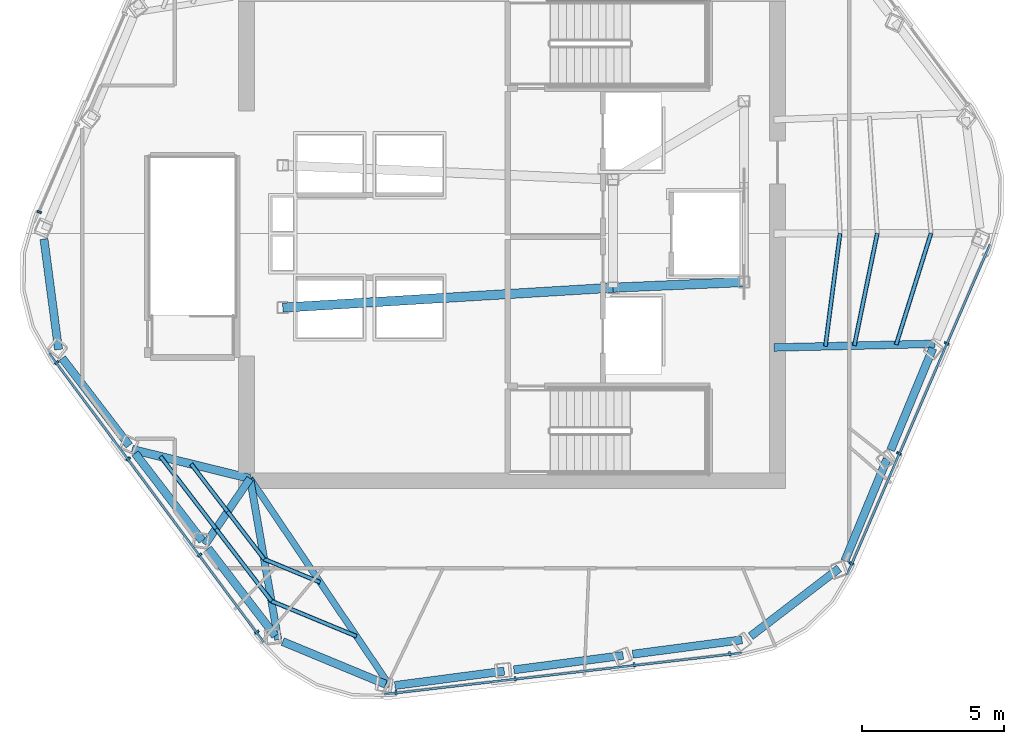
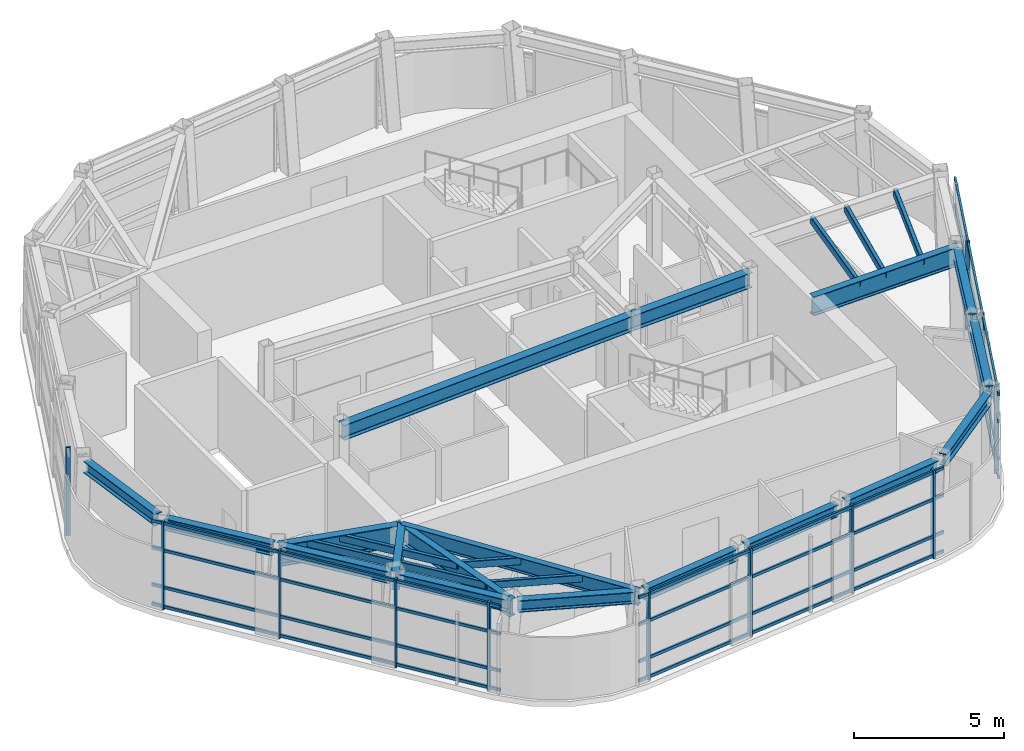
# One storey, part 2 of 11: 33 members, 18 beams, 4 elements without a shape of their own.
"""IFC4 building model written with IfcOpenShell, lengths in metres."""

from ifc_helpers import new_model, si_unit, direction, frame, origin, origin_2d, place, context, subcontext, project, spatial, rectangle, hollow_rectangle, i_section, extrude, material, layer, layer_set, material_profile, profile_set, type_object, element, aggregate, save


model = new_model("IFC4")

# Units and contexts
model_context = context("Model", 3, precision=1e-05, world=origin(), true_north=direction((0.0, 1.0)))
body_context = subcontext(model_context, "Body", "Model", "MODEL_VIEW")
ifc_project = project(units=[si_unit("LENGTHUNIT", "METRE"), si_unit("AREAUNIT", "SQUARE_METRE"), si_unit("VOLUMEUNIT", "CUBIC_METRE"), si_unit("PLANEANGLEUNIT", "RADIAN"), si_unit("MASSUNIT", "GRAM", prefix="KILO")], contexts=[model_context])

# Site, building, storey
site_placement = place(None, origin())
site = spatial("IfcSite", under=ifc_project, at=site_placement, CompositionType="ELEMENT")
building_placement = place(site_placement, origin())
building = spatial("IfcBuilding", under=site, at=building_placement, Name="Valkerne Bourse Tower", CompositionType="ELEMENT")
storey_placement = place(building_placement, frame((0.0, 0.0, 311.60009765625)))
storey = spatial("IfcBuildingStorey", under=building, at=storey_placement, Name="L79", CompositionType="ELEMENT", Elevation=311.60009765625)

# Beams
ifc_material_1 = material(Name="Steel ASTM A992", Category="steel")
ifc_material_profile_1 = material_profile(ifc_material_1, i_section(OverallWidth=0.284423828125, OverallDepth=0.47509765625, WebThickness=0.014892578125, FlangeThickness=0.02392578125, FilletRadius=0.017822265625, at=origin_2d()), Name="W18X106")
ifc_profile_set_1 = profile_set([ifc_material_profile_1], Name="Steel ASTM A992")
beam_type_1 = type_object("IfcBeamType", Name="BM-W18X106", PredefinedType="BEAM", material=ifc_profile_set_1)
beam_1_placement = place(storey_placement, frame((30.362548828125, 26.810791015625, 3.34228515625), z_axis=(0.130554504695, -0.991441133554, 0.0), x_axis=(0.991441133554, 0.130554504695, 0.0)))
element("IfcBeam", 1, at=beam_1_placement, inside=storey, type_object=beam_type_1, Name="L79 Hexagonal Spandrel Ring Beam 07", PredefinedType="BEAM", context=body_context, shape_type="SweptSolid", body=[
    extrude(i_section(OverallWidth=0.284423828125, OverallDepth=0.47509765625, WebThickness=0.014892578125, FlangeThickness=0.02392578125, FilletRadius=0.017822265625, at=origin_2d()), origin(), (0.0, 0.0, 1.0), 3.915771484375),
])
beam_2_placement = place(storey_placement, frame((30.99951171875, 22.625, 3.34228515625), z_axis=(0.60874126087, -0.793368815441, 0.0), x_axis=(0.793368815441, 0.60874126087, 0.0)))
element("IfcBeam", 2, at=beam_2_placement, inside=storey, type_object=beam_type_1, Name="L79 Hexagonal Spandrel Ring Beam 08", PredefinedType="BEAM", context=body_context, shape_type="SweptSolid", body=[
    extrude(i_section(OverallWidth=0.284423828125, OverallDepth=0.47509765625, WebThickness=0.014892578125, FlangeThickness=0.02392578125, FilletRadius=0.017822265625, at=origin_2d()), origin(), (0.0, 0.0, 1.0), 3.871826171875),
])
beam_3_placement = place(storey_placement, frame((33.5634765625, 19.283447265625, 3.34228515625), z_axis=(0.608780948091, -0.793338362391, 0.0), x_axis=(0.793338362391, 0.608780948091, 0.0)))
element("IfcBeam", 3, at=beam_3_placement, inside=storey, type_object=beam_type_1, Name="L79 Hexagonal Spandrel Ring Beam 09", PredefinedType="BEAM", context=body_context, shape_type="SweptSolid", body=[
    extrude(i_section(OverallWidth=0.284423828125, OverallDepth=0.47509765625, WebThickness=0.014892578125, FlangeThickness=0.02392578125, FilletRadius=0.017822265625, at=origin_2d()), origin(), (0.0, 0.0, 1.0), 3.8720703125),
])
beam_4_placement = place(storey_placement, frame((36.127685546875, 15.94189453125, 3.34228515625), z_axis=(0.60874126087, -0.793368815441, 0.0), x_axis=(0.793368815441, 0.60874126087, 0.0)))
element("IfcBeam", 4, at=beam_4_placement, inside=storey, type_object=beam_type_1, Name="L79 Hexagonal Spandrel Ring Beam 10", PredefinedType="BEAM", context=body_context, shape_type="SweptSolid", body=[
    extrude(i_section(OverallWidth=0.284423828125, OverallDepth=0.47509765625, WebThickness=0.014892578125, FlangeThickness=0.02392578125, FilletRadius=0.017822265625, at=origin_2d()), origin(), (0.0, 0.0, 1.0), 3.871826171875),
])
beam_5_placement = place(storey_placement, frame((38.745361328125, 12.670166015625, 3.34228515625), z_axis=(0.92386635704, -0.382715239219, 0.0), x_axis=(0.382715239219, 0.92386635704, 0.0)))
element("IfcBeam", 5, at=beam_5_placement, inside=storey, type_object=beam_type_1, Name="L79 Hexagonal Spandrel Ring Beam 11", PredefinedType="BEAM", context=body_context, shape_type="SweptSolid", body=[
    extrude(i_section(OverallWidth=0.284423828125, OverallDepth=0.47509765625, WebThickness=0.014892578125, FlangeThickness=0.02392578125, FilletRadius=0.017822265625, at=origin_2d()), origin(), (0.0, 0.0, 1.0), 3.91552734375),
])
for number, where, z_axis, x_axis, name in (
    (6, (42.6884765625, 11.12890625, 3.34228515625), (0.991445708914, 0.130519754353, 0.0), (-0.130519754353, 0.991445708914, 0.0), "L79 Hexagonal Spandrel Ring Beam 12"),
    (7, (46.864501953125, 11.6787109375, 3.34228515625), (0.991445708914, 0.130519754353, 0.0), (-0.130519754353, 0.991445708914, 0.0), "L79 Hexagonal Spandrel Ring Beam 13"),
):
    element("IfcBeam", number, at=place(storey_placement, frame(where, z_axis=z_axis, x_axis=x_axis)), inside=storey, type_object=beam_type_1, Name=name, PredefinedType="BEAM", context=body_context, shape_type="SweptSolid", body=[
        extrude(i_section(OverallWidth=0.284423828125, OverallDepth=0.47509765625, WebThickness=0.014892578125, FlangeThickness=0.02392578125, FilletRadius=0.017822265625, at=origin_2d()), origin(), (0.0, 0.0, 1.0), 3.8720703125),
    ])
beam_6_placement = place(storey_placement, frame((51.040283203125, 12.228515625, 3.34228515625), z_axis=(0.991454939332, 0.130449619681, 0.0), x_axis=(-0.130449619681, 0.991454939332, 0.0)))
element("IfcBeam", 8, at=beam_6_placement, inside=storey, type_object=beam_type_1, Name="L79 Hexagonal Spandrel Ring Beam 14", PredefinedType="BEAM", context=body_context, shape_type="SweptSolid", body=[
    extrude(i_section(OverallWidth=0.284423828125, OverallDepth=0.47509765625, WebThickness=0.014892578125, FlangeThickness=0.02392578125, FilletRadius=0.017822265625, at=origin_2d()), origin(), (0.0, 0.0, 1.0), 3.872314453125),
])
beam_7_placement = place(storey_placement, frame((55.1826171875, 12.859375, 3.34228515625), z_axis=(0.793337338041, 0.60878228298, 0.0), x_axis=(-0.60878228298, 0.793337338041, 0.0)))
element("IfcBeam", 9, at=beam_7_placement, inside=storey, type_object=beam_type_1, Name="L79 Hexagonal Spandrel Ring Beam 15", PredefinedType="BEAM", context=body_context, shape_type="SweptSolid", body=[
    extrude(i_section(OverallWidth=0.284423828125, OverallDepth=0.47509765625, WebThickness=0.014892578125, FlangeThickness=0.02392578125, FilletRadius=0.017822265625, at=origin_2d()), origin(), (0.0, 0.0, 1.0), 3.915771484375),
])
beam_8_placement = place(storey_placement, frame((58.489013671875, 15.503662109375, 3.34228515625), z_axis=(0.382680358343, 0.923880805807, 0.0), x_axis=(-0.923880805807, 0.382680358343, 0.0)))
element("IfcBeam", 10, at=beam_8_placement, inside=storey, type_object=beam_type_1, Name="L79 Hexagonal Spandrel Ring Beam 16", PredefinedType="BEAM", context=body_context, shape_type="SweptSolid", body=[
    extrude(i_section(OverallWidth=0.284423828125, OverallDepth=0.47509765625, WebThickness=0.014892578125, FlangeThickness=0.02392578125, FilletRadius=0.017822265625, at=origin_2d()), origin(), (0.0, 0.0, 1.0), 3.871826171875),
])
beam_9_placement = place(storey_placement, frame((60.10107421875, 19.39501953125, 3.34228515625), z_axis=(0.382604245611, 0.923912328763, 0.0), x_axis=(-0.923912328763, 0.382604245611, 0.0)))
element("IfcBeam", 11, at=beam_9_placement, inside=storey, type_object=beam_type_1, Name="L79 Hexagonal Spandrel Ring Beam 17", PredefinedType="BEAM", context=body_context, shape_type="SweptSolid", body=[
    extrude(i_section(OverallWidth=0.284423828125, OverallDepth=0.47509765625, WebThickness=0.014892578125, FlangeThickness=0.02392578125, FilletRadius=0.017822265625, at=origin_2d()), origin(), (0.0, 0.0, 1.0), 3.8720703125),
])
ifc_material_profile_2 = material_profile(ifc_material_1, i_section(OverallWidth=0.3251953125, OverallDepth=0.612060546875, WebThickness=0.0126953125, FlangeThickness=0.01904296875, FilletRadius=0.020263671875, at=origin_2d()), Name="W24X104")
ifc_profile_set_2 = profile_set([ifc_material_profile_2], Name="Steel ASTM A992")
beam_type_2 = type_object("IfcBeamType", Name="BM-W24X104", PredefinedType="BEAM", material=ifc_profile_set_2)
beam_10_placement = place(storey_placement, frame((50.35009765625, 25.10009765625, 3.273681640625), z_axis=(0.999056558506, 0.043428019819, 0.0), x_axis=(-0.043428019819, 0.999056558506, 0.0)))
element("IfcBeam", 12, at=beam_10_placement, inside=storey, type_object=beam_type_2, Name="L79 Core Frame Girder CG-SE", PredefinedType="BEAM", context=body_context, shape_type="SweptSolid", body=[
    extrude(i_section(OverallWidth=0.3251953125, OverallDepth=0.612060546875, WebThickness=0.0126953125, FlangeThickness=0.01904296875, FilletRadius=0.020263671875, at=origin_2d()), origin(), (0.0, 0.0, 1.0), 4.604248046875),
])
beam_11_placement = place(storey_placement, frame((38.75, 24.39990234375, 3.273681640625), z_axis=(0.998183228389, 0.060251494276, 0.0), x_axis=(-0.060251494276, 0.998183228389, 0.0)))
element("IfcBeam", 13, at=beam_11_placement, inside=storey, type_object=beam_type_2, Name="L79 Core Frame Girder CG-SW", PredefinedType="BEAM", context=body_context, shape_type="SweptSolid", body=[
    extrude(i_section(OverallWidth=0.3251953125, OverallDepth=0.612060546875, WebThickness=0.0126953125, FlangeThickness=0.01904296875, FilletRadius=0.020263671875, at=origin_2d()), origin(), (0.0, 0.0, 1.0), 11.62109375),
])
ifc_material_profile_3 = material_profile(ifc_material_1, i_section(OverallWidth=0.228271484375, OverallDepth=0.607177734375, WebThickness=0.01123046875, FlangeThickness=0.017333984375, FilletRadius=0.017822265625, at=origin_2d()), Name="W24X76")
ifc_profile_set_3 = profile_set([ifc_material_profile_3], Name="Steel ASTM A992")
beam_type_3 = type_object("IfcBeamType", Name="BM-W24X76", PredefinedType="JOIST", material=ifc_profile_set_3)
beam_12_placement = place(storey_placement, frame((42.52001953125, 11.106689453125, 3.2763671875), z_axis=(-0.559238813687, 0.829006603874, 0.0), x_axis=(-0.829006603874, -0.559238813687, 0.0)))
element("IfcBeam", 14, at=beam_12_placement, inside=storey, type_object=beam_type_3, Name="L79 Radial Composite Floor Beam 12", PredefinedType="JOIST", context=body_context, shape_type="SweptSolid", body=[
    extrude(i_section(OverallWidth=0.228271484375, OverallDepth=0.607177734375, WebThickness=0.01123046875, FlangeThickness=0.017333984375, FilletRadius=0.017822265625, at=origin_2d()), origin(), (0.0, 0.0, 1.0), 8.797607421875),
])
ifc_material_profile_4 = material_profile(ifc_material_1, i_section(OverallWidth=0.255859375, OverallDepth=0.693359375, WebThickness=0.014404296875, FlangeThickness=0.023681640625, FilletRadius=0.02294921875, at=origin_2d()), Name="W27X114")
ifc_profile_set_4 = profile_set([ifc_material_profile_4], Name="Steel ASTM A992")
beam_type_4 = type_object("IfcBeamType", Name="BM-W27X114", PredefinedType="BEAM", material=ifc_profile_set_4)
beam_13_placement = place(storey_placement, frame((38.588134765625, 12.735107421875, 3.233154296875), z_axis=(-0.171823137618, 0.985127813727, 0.0), x_axis=(-0.985127813727, -0.171823137618, 0.0)))
element("IfcBeam", 15, at=beam_13_placement, inside=storey, type_object=beam_type_4, Name="L79 Radial Composite Floor Beam 11", PredefinedType="BEAM", context=body_context, shape_type="SweptSolid", body=[
    extrude(i_section(OverallWidth=0.255859375, OverallDepth=0.693359375, WebThickness=0.014404296875, FlangeThickness=0.023681640625, FilletRadius=0.02294921875, at=origin_2d()), origin(), (0.0, 0.0, 1.0), 5.750244140625),
])
ifc_material_profile_5 = material_profile(ifc_material_1, i_section(OverallWidth=0.26806640625, OverallDepth=0.76953125, WebThickness=0.015625, FlangeThickness=0.025390625, FilletRadius=0.025390625, at=origin_2d()), Name="W30X132")
ifc_profile_set_5 = profile_set([ifc_material_profile_5], Name="Steel ASTM A992")
beam_type_5 = type_object("IfcBeamType", Name="BM-W30X132", PredefinedType="BEAM", material=ifc_profile_set_5)
beam_14_placement = place(storey_placement, frame((36.024169921875, 16.076904296875, 3.195068359375), z_axis=(0.561405707156, 0.827540713182, 0.0), x_axis=(-0.827540713182, 0.561405707156, 0.0)))
element("IfcBeam", 16, at=beam_14_placement, inside=storey, type_object=beam_type_5, Name="L79 Radial Composite Floor Beam 10", PredefinedType="BEAM", context=body_context, shape_type="SweptSolid", body=[
    extrude(i_section(OverallWidth=0.26806640625, OverallDepth=0.76953125, WebThickness=0.015625, FlangeThickness=0.025390625, FilletRadius=0.025390625, at=origin_2d()), origin(), (0.0, 0.0, 1.0), 2.80712890625),
])
beam_15_placement = place(storey_placement, frame((61.647705078125, 23.12939453125, 3.195068359375), z_axis=(-0.999737646481, -0.022904982174, 0.0), x_axis=(0.022904982174, -0.999737646481, 0.0)))
element("IfcBeam", 17, at=beam_15_placement, inside=storey, type_object=beam_type_5, Name="L79 Radial Composite Floor Beam 18", PredefinedType="BEAM", context=body_context, shape_type="SweptSolid", body=[
    extrude(i_section(OverallWidth=0.26806640625, OverallDepth=0.76953125, WebThickness=0.015625, FlangeThickness=0.025390625, FilletRadius=0.025390625, at=origin_2d()), origin(), (0.0, 0.0, 1.0), 5.649169921875),
])
ifc_material_profile_6 = material_profile(ifc_material_1, i_section(OverallWidth=0.2919921875, OverallDepth=0.8583984375, WebThickness=0.01708984375, FlangeThickness=0.031005859375, FilletRadius=0.025390625, at=origin_2d()), Name="W33X169")
ifc_profile_set_6 = profile_set([ifc_material_profile_6], Name="Steel ASTM A992")
beam_type_6 = type_object("IfcBeamType", Name="BM-W33X169", PredefinedType="BEAM", material=ifc_profile_set_6)
beam_16_placement = place(storey_placement, frame((33.4599609375, 19.41845703125, 3.150634765625), z_axis=(0.971045131335, -0.238896113217, 0.0), x_axis=(0.238896113217, 0.971045131335, 0.0)))
element("IfcBeam", 18, at=beam_16_placement, inside=storey, type_object=beam_type_6, Name="L79 Radial Composite Floor Beam 09", PredefinedType="BEAM", context=body_context, shape_type="SweptSolid", body=[
    extrude(i_section(OverallWidth=0.2919921875, OverallDepth=0.8583984375, WebThickness=0.01708984375, FlangeThickness=0.031005859375, FilletRadius=0.025390625, at=origin_2d()), origin(), (0.0, 0.0, 1.0), 4.263671875),
])

# Curtain wall, member
ifc_material_2 = material(Name="Aluminium AA 6063-T6", Category="aluminium")
ifc_layer = layer(ifc_material_2, 0.25)
ifc_layer_set = layer_set([ifc_layer], Name="Aluminium AA 6063-T6")
curtain_wall_type = type_object("IfcCurtainWallType", Name="CW-06", PredefinedType="NOTDEFINED", material=ifc_layer_set)
curtain_wall_1_placement = place(storey_placement, origin())
curtain_wall_1 = element("IfcCurtainWall", 19, at=curtain_wall_1_placement, inside=storey, type_object=curtain_wall_type, Name="L79 Hexagonal Stick Curtain Wall Face 2", PredefinedType="NOTDEFINED")
ifc_material_profile_7 = material_profile(ifc_material_2, rectangle(XDim=0.074951171875, YDim=0.159912109375, at=origin_2d()), Name="CWM-75X160")
ifc_profile_set_7 = profile_set([ifc_material_profile_7], Name="Aluminium AA 6063-T6")
member_type_1 = type_object("IfcMemberType", Name="CW-MUL-160X75", PredefinedType="MULLION", material=ifc_profile_set_7)
member_1_placement = place(storey_placement, frame((30.197021484375, 27.75830078125, 0.0), z_axis=(0.0, 0.0, 1.0), x_axis=(-0.397148991364, -0.917754149355, 0.0)))
member_1 = element("IfcMember", 20, at=member_1_placement, type_object=member_type_1, Name="CW-L79-F2 Jamb Mullion 02B", PredefinedType="MULLION", context=body_context, shape_type="SweptSolid", body=[
    extrude(rectangle(XDim=0.074951171875, YDim=0.159912109375, at=origin_2d()), origin(), (0.0, 0.0, 1.0), 3.579833984375),
])
aggregate(curtain_wall_1, [member_1])

# Curtain wall, members
curtain_wall_2_placement = place(storey_placement, origin())
curtain_wall_2 = element("IfcCurtainWall", 21, at=curtain_wall_2_placement, inside=storey, type_object=curtain_wall_type, Name="L79 Hexagonal Stick Curtain Wall Face 3", PredefinedType="NOTDEFINED")
member_2_placement = place(storey_placement, frame((30.80859375, 22.470458984375, 0.0), z_axis=(0.0, 0.0, 1.0), x_axis=(0.596232638895, -0.80281170913, 0.0)))
member_2 = element("IfcMember", 22, at=member_2_placement, type_object=member_type_1, Name="CW-L79-F3 Jamb Mullion 00A", PredefinedType="MULLION", context=body_context, shape_type="SweptSolid", body=[
    extrude(rectangle(XDim=0.074951171875, YDim=0.159912109375, at=origin_2d()), origin(), (0.0, 0.0, 1.0), 3.579833984375),
])
member_3_placement = place(storey_placement, frame((33.320068359375, 19.089111328125, 0.0), z_axis=(0.0, 0.0, 1.0), x_axis=(0.59622127464, -0.802820149017, 0.0)))
member_3 = element("IfcMember", 23, at=member_3_placement, type_object=member_type_1, Name="CW-L79-F3 Jamb Mullion 01A", PredefinedType="MULLION", context=body_context, shape_type="SweptSolid", body=[
    extrude(rectangle(XDim=0.074951171875, YDim=0.159912109375, at=origin_2d()), origin(), (0.0, 0.0, 1.0), 3.579833984375),
])
member_4_placement = place(storey_placement, frame((35.831298828125, 15.70751953125, 0.0), z_axis=(0.0, 0.0, 1.0), x_axis=(0.59622127464, -0.802820149017, 0.0)))
member_4 = element("IfcMember", 24, at=member_4_placement, type_object=member_type_1, Name="CW-L79-F3 Jamb Mullion 02A", PredefinedType="MULLION", context=body_context, shape_type="SweptSolid", body=[
    extrude(rectangle(XDim=0.074951171875, YDim=0.159912109375, at=origin_2d()), origin(), (0.0, 0.0, 1.0), 3.579833984375),
])
member_5_placement = place(storey_placement, frame((37.841796875, 13.00048828125, 0.0), z_axis=(0.0, 0.0, 1.0), x_axis=(0.59622127464, -0.802820149017, 0.0)))
member_5 = element("IfcMember", 25, at=member_5_placement, type_object=member_type_1, Name="CW-L79-F3 Jamb Mullion 02B", PredefinedType="MULLION", context=body_context, shape_type="SweptSolid", body=[
    extrude(rectangle(XDim=0.074951171875, YDim=0.159912109375, at=origin_2d()), origin(), (0.0, 0.0, 1.0), 3.579833984375),
])

curtain_wall_3_placement = place(storey_placement, origin())
curtain_wall_3 = element("IfcCurtainWall", 26, at=curtain_wall_3_placement, inside=storey, type_object=curtain_wall_type, Name="L79 Hexagonal Stick Curtain Wall Face 4", PredefinedType="NOTDEFINED")
member_6_placement = place(storey_placement, frame((42.72705078125, 10.88623046875, 0.0), z_axis=(0.0, 0.0, 1.0), x_axis=(0.993373223363, 0.114933194098, 0.0)))
member_6 = element("IfcMember", 27, at=member_6_placement, type_object=member_type_1, Name="CW-L79-F4 Jamb Mullion 00A", PredefinedType="MULLION", context=body_context, shape_type="SweptSolid", body=[
    extrude(rectangle(XDim=0.074951171875, YDim=0.159912109375, at=origin_2d()), origin(), (0.0, 0.0, 1.0), 3.579833984375),
])
member_7_placement = place(storey_placement, frame((46.9111328125, 11.370361328125, 0.0), z_axis=(0.0, 0.0, 1.0), x_axis=(0.993372909733, 0.114935904784, 0.0)))
member_7 = element("IfcMember", 28, at=member_7_placement, type_object=member_type_1, Name="CW-L79-F4 Jamb Mullion 01A", PredefinedType="MULLION", context=body_context, shape_type="SweptSolid", body=[
    extrude(rectangle(XDim=0.074951171875, YDim=0.159912109375, at=origin_2d()), origin(), (0.0, 0.0, 1.0), 3.579833984375),
])
member_8_placement = place(storey_placement, frame((51.09521484375, 11.8544921875, 0.0), z_axis=(0.0, 0.0, 1.0), x_axis=(0.993370512475, 0.114956622011, 0.0)))
member_8 = element("IfcMember", 29, at=member_8_placement, type_object=member_type_1, Name="CW-L79-F4 Jamb Mullion 02A", PredefinedType="MULLION", context=body_context, shape_type="SweptSolid", body=[
    extrude(rectangle(XDim=0.074951171875, YDim=0.159912109375, at=origin_2d()), origin(), (0.0, 0.0, 1.0), 3.579833984375),
])
member_9_placement = place(storey_placement, frame((54.44482421875, 12.2421875, 0.0), z_axis=(0.0, 0.0, 1.0), x_axis=(0.993370512475, 0.114956622011, 0.0)))
member_9 = element("IfcMember", 30, at=member_9_placement, type_object=member_type_1, Name="CW-L79-F4 Jamb Mullion 02B", PredefinedType="MULLION", context=body_context, shape_type="SweptSolid", body=[
    extrude(rectangle(XDim=0.074951171875, YDim=0.159912109375, at=origin_2d()), origin(), (0.0, 0.0, 1.0), 3.579833984375),
])

curtain_wall_4_placement = place(storey_placement, origin())
curtain_wall_4 = element("IfcCurtainWall", 31, at=curtain_wall_4_placement, inside=storey, type_object=curtain_wall_type, Name="L79 Hexagonal Stick Curtain Wall Face 5", PredefinedType="NOTDEFINED")
member_10_placement = place(storey_placement, frame((58.71826171875, 15.416015625, 0.0), z_axis=(0.0, 0.0, 1.0), x_axis=(0.397148991364, 0.917754149355, 0.0)))
member_10 = element("IfcMember", 32, at=member_10_placement, type_object=member_type_1, Name="CW-L79-F5 Jamb Mullion 00A", PredefinedType="MULLION", context=body_context, shape_type="SweptSolid", body=[
    extrude(rectangle(XDim=0.074951171875, YDim=0.159912109375, at=origin_2d()), origin(), (0.0, 0.0, 1.0), 3.579833984375),
])
member_11_placement = place(storey_placement, frame((60.39111328125, 19.281494140625, 0.0), z_axis=(0.0, 0.0, 1.0), x_axis=(0.397157644996, 0.917750404533, 0.0)))
member_11 = element("IfcMember", 33, at=member_11_placement, type_object=member_type_1, Name="CW-L79-F5 Jamb Mullion 01A", PredefinedType="MULLION", context=body_context, shape_type="SweptSolid", body=[
    extrude(rectangle(XDim=0.074951171875, YDim=0.159912109375, at=origin_2d()), origin(), (0.0, 0.0, 1.0), 3.579833984375),
])
member_12_placement = place(storey_placement, frame((62.06396484375, 23.14697265625, 0.0), z_axis=(0.0, 0.0, 1.0), x_axis=(0.397148991364, 0.917754149355, 0.0)))
member_12 = element("IfcMember", 34, at=member_12_placement, type_object=member_type_1, Name="CW-L79-F5 Jamb Mullion 02A", PredefinedType="MULLION", context=body_context, shape_type="SweptSolid", body=[
    extrude(rectangle(XDim=0.074951171875, YDim=0.159912109375, at=origin_2d()), origin(), (0.0, 0.0, 1.0), 3.579833984375),
])

# Member
ifc_material_profile_8 = material_profile(ifc_material_2, rectangle(XDim=0.074951171875, YDim=0.1201171875, at=origin_2d()), Name="CWT-75X120")
ifc_profile_set_8 = profile_set([ifc_material_profile_8], Name="Aluminium AA 6063-T6")
member_type_2 = type_object("IfcMemberType", Name="CW-TRN-120X75", PredefinedType="USERDEFINED", material=ifc_profile_set_8)
member_13_placement = place(storey_placement, frame((30.542236328125, 22.795654296875, 0.119873046875), z_axis=(0.596231152193, -0.802812813272, 0.0), x_axis=(0.802812813272, 0.596231152193, 0.0)))
member_13 = element("IfcMember", 35, at=member_13_placement, type_object=member_type_2, Name="CW-L79-F3 Continuous Face Transom 1", ObjectType="TRANSOM", PredefinedType="USERDEFINED", context=body_context, shape_type="SweptSolid", body=[
    extrude(rectangle(XDim=0.074951171875, YDim=0.1201171875, at=origin_2d()), origin(), (0.0, 0.0, 1.0), 12.635986328125),
])

member_14_placement = place(storey_placement, frame((30.542236328125, 22.795654296875, 0.89990234375), z_axis=(0.596231152193, -0.802812813272, 0.0), x_axis=(0.802812813272, 0.596231152193, 0.0)))
member_14 = element("IfcMember", 36, at=member_14_placement, type_object=member_type_2, Name="CW-L79-F3 Continuous Face Transom 2", ObjectType="TRANSOM", PredefinedType="USERDEFINED", context=body_context, shape_type="SweptSolid", body=[
    extrude(rectangle(XDim=0.074951171875, YDim=0.1201171875, at=origin_2d()), origin(), (0.0, 0.0, 1.0), 12.635986328125),
])

member_15_placement = place(storey_placement, frame((30.542236328125, 22.795654296875, 2.39990234375), z_axis=(0.596231152193, -0.802812813272, 0.0), x_axis=(0.802812813272, 0.596231152193, 0.0)))
member_15 = element("IfcMember", 37, at=member_15_placement, type_object=member_type_2, Name="CW-L79-F3 Continuous Face Transom 3", ObjectType="TRANSOM", PredefinedType="USERDEFINED", context=body_context, shape_type="SweptSolid", body=[
    extrude(rectangle(XDim=0.074951171875, YDim=0.1201171875, at=origin_2d()), origin(), (0.0, 0.0, 1.0), 12.635986328125),
])

member_16_placement = place(storey_placement, frame((30.542236328125, 22.795654296875, 3.5), z_axis=(0.596231152193, -0.802812813272, 0.0), x_axis=(0.802812813272, 0.596231152193, 0.0)))
member_16 = element("IfcMember", 38, at=member_16_placement, type_object=member_type_2, Name="CW-L79-F3 Continuous Face Transom 4", ObjectType="TRANSOM", PredefinedType="USERDEFINED", context=body_context, shape_type="SweptSolid", body=[
    extrude(rectangle(XDim=0.074951171875, YDim=0.1201171875, at=origin_2d()), origin(), (0.0, 0.0, 1.0), 12.635986328125),
])

aggregate(curtain_wall_2, [member_13, member_14, member_15, member_16, member_2, member_3, member_4, member_5])

member_17_placement = place(storey_placement, frame((42.312255859375, 10.818115234375, 0.119873046875), z_axis=(0.993372330497, 0.114940910922, 0.0), x_axis=(-0.114940910922, 0.993372330497, 0.0)))
member_17 = element("IfcMember", 39, at=member_17_placement, type_object=member_type_2, Name="CW-L79-F4 Continuous Face Transom 1", ObjectType="TRANSOM", PredefinedType="USERDEFINED", context=body_context, shape_type="SweptSolid", body=[
    extrude(rectangle(XDim=0.074951171875, YDim=0.1201171875, at=origin_2d()), origin(), (0.0, 0.0, 1.0), 12.635986328125),
])

member_18_placement = place(storey_placement, frame((42.312255859375, 10.818115234375, 0.89990234375), z_axis=(0.993372330497, 0.114940910922, 0.0), x_axis=(-0.114940910922, 0.993372330497, 0.0)))
member_18 = element("IfcMember", 40, at=member_18_placement, type_object=member_type_2, Name="CW-L79-F4 Continuous Face Transom 2", ObjectType="TRANSOM", PredefinedType="USERDEFINED", context=body_context, shape_type="SweptSolid", body=[
    extrude(rectangle(XDim=0.074951171875, YDim=0.1201171875, at=origin_2d()), origin(), (0.0, 0.0, 1.0), 12.635986328125),
])

member_19_placement = place(storey_placement, frame((42.312255859375, 10.818115234375, 2.39990234375), z_axis=(0.993372330497, 0.114940910922, 0.0), x_axis=(-0.114940910922, 0.993372330497, 0.0)))
member_19 = element("IfcMember", 41, at=member_19_placement, type_object=member_type_2, Name="CW-L79-F4 Continuous Face Transom 3", ObjectType="TRANSOM", PredefinedType="USERDEFINED", context=body_context, shape_type="SweptSolid", body=[
    extrude(rectangle(XDim=0.074951171875, YDim=0.1201171875, at=origin_2d()), origin(), (0.0, 0.0, 1.0), 12.635986328125),
])

member_20_placement = place(storey_placement, frame((42.312255859375, 10.818115234375, 3.5), z_axis=(0.993372330497, 0.114940910922, 0.0), x_axis=(-0.114940910922, 0.993372330497, 0.0)))
member_20 = element("IfcMember", 42, at=member_20_placement, type_object=member_type_2, Name="CW-L79-F4 Continuous Face Transom 4", ObjectType="TRANSOM", PredefinedType="USERDEFINED", context=body_context, shape_type="SweptSolid", body=[
    extrude(rectangle(XDim=0.074951171875, YDim=0.1201171875, at=origin_2d()), origin(), (0.0, 0.0, 1.0), 12.635986328125),
])

aggregate(curtain_wall_3, [member_17, member_18, member_19, member_20, member_6, member_7, member_8, member_9])

member_21_placement = place(storey_placement, frame((58.56982421875, 15.0224609375, 0.119873046875), z_axis=(0.397162772661, 0.917748185513, 0.0), x_axis=(-0.917748185513, 0.397162772661, 0.0)))
member_21 = element("IfcMember", 43, at=member_21_placement, type_object=member_type_2, Name="CW-L79-F5 Continuous Face Transom 1", ObjectType="TRANSOM", PredefinedType="USERDEFINED", context=body_context, shape_type="SweptSolid", body=[
    extrude(rectangle(XDim=0.074951171875, YDim=0.1201171875, at=origin_2d()), origin(), (0.0, 0.0, 1.0), 12.635986328125),
])

member_22_placement = place(storey_placement, frame((58.56982421875, 15.0224609375, 0.89990234375), z_axis=(0.397162772661, 0.917748185513, 0.0), x_axis=(-0.917748185513, 0.397162772661, 0.0)))
member_22 = element("IfcMember", 44, at=member_22_placement, type_object=member_type_2, Name="CW-L79-F5 Continuous Face Transom 2", ObjectType="TRANSOM", PredefinedType="USERDEFINED", context=body_context, shape_type="SweptSolid", body=[
    extrude(rectangle(XDim=0.074951171875, YDim=0.1201171875, at=origin_2d()), origin(), (0.0, 0.0, 1.0), 12.635986328125),
])

member_23_placement = place(storey_placement, frame((58.56982421875, 15.0224609375, 2.39990234375), z_axis=(0.397162772661, 0.917748185513, 0.0), x_axis=(-0.917748185513, 0.397162772661, 0.0)))
member_23 = element("IfcMember", 45, at=member_23_placement, type_object=member_type_2, Name="CW-L79-F5 Continuous Face Transom 3", ObjectType="TRANSOM", PredefinedType="USERDEFINED", context=body_context, shape_type="SweptSolid", body=[
    extrude(rectangle(XDim=0.074951171875, YDim=0.1201171875, at=origin_2d()), origin(), (0.0, 0.0, 1.0), 12.635986328125),
])

member_24_placement = place(storey_placement, frame((58.56982421875, 15.0224609375, 3.5), z_axis=(0.397162772661, 0.917748185513, 0.0), x_axis=(-0.917748185513, 0.397162772661, 0.0)))
member_24 = element("IfcMember", 46, at=member_24_placement, type_object=member_type_2, Name="CW-L79-F5 Continuous Face Transom 4", ObjectType="TRANSOM", PredefinedType="USERDEFINED", context=body_context, shape_type="SweptSolid", body=[
    extrude(rectangle(XDim=0.074951171875, YDim=0.1201171875, at=origin_2d()), origin(), (0.0, 0.0, 1.0), 12.635986328125),
])

aggregate(curtain_wall_4, [member_21, member_22, member_23, member_24, member_10, member_11, member_12])

# Members
ifc_material_3 = material(Name="Steel ASTM A500 Grade C", Category="steel")
ifc_material_profile_9 = material_profile(ifc_material_3, hollow_rectangle(XDim=0.14990234375, YDim=0.300048828125, WallThickness=0.012451171875, OuterFilletRadius=0.02490234375, at=origin_2d()), Name="HSS300X150X12.5")
ifc_profile_set_9 = profile_set([ifc_material_profile_9], Name="Steel ASTM A500 Grade C")
member_type_3 = type_object("IfcMemberType", Name="MBR-HSS300X150X12.5", PredefinedType="PURLIN", material=ifc_profile_set_9)
member_25_placement = place(storey_placement, frame((57.807373046875, 23.04150390625, 3.419921875), z_axis=(0.128955459439, 0.991650386719, 0.0), x_axis=(-0.991650386719, 0.128955459439, 0.0)))
element("IfcMember", 47, at=member_25_placement, inside=storey, type_object=member_type_3, Name="L79 Secondary Composite Floor Purlin I-18", PredefinedType="PURLIN", context=body_context, shape_type="SweptSolid", body=[
    extrude(hollow_rectangle(XDim=0.14990234375, YDim=0.300048828125, WallThickness=0.012451171875, OuterFilletRadius=0.02490234375, at=origin_2d()), origin(), (0.0, 0.0, 1.0), 3.99853515625),
])
for number, where, z_axis, x_axis, name in (
    (48, (35.530029296875, 18.9091796875, 3.419921875), (0.60871867817, -0.793386142334, 0.0), (0.793386142334, 0.60871867817, 0.0), "L79 Secondary Composite Floor Purlin M-09"),
    (49, (36.81201171875, 17.23828125, 3.419921875), (0.608774667341, -0.793343181986, 0.0), (0.793343181986, 0.608774667341, 0.0), "L79 Secondary Composite Floor Purlin M-10"),
):
    element("IfcMember", number, at=place(storey_placement, frame(where, z_axis=z_axis, x_axis=x_axis)), inside=storey, type_object=member_type_3, Name=name, PredefinedType="PURLIN", context=body_context, shape_type="SweptSolid", body=[
        extrude(hollow_rectangle(XDim=0.14990234375, YDim=0.300048828125, WallThickness=0.012451171875, OuterFilletRadius=0.02490234375, at=origin_2d()), origin(), (0.0, 0.0, 1.0), 2.10595703125),
    ])
member_26_placement = place(storey_placement, frame((38.093994140625, 15.567626953125, 3.419921875), z_axis=(0.923906375257, -0.382618621816, 0.0), x_axis=(0.382618621816, 0.923906375257, 0.0)))
element("IfcMember", 50, at=member_26_placement, inside=storey, type_object=member_type_3, Name="L79 Secondary Composite Floor Purlin M-11", PredefinedType="PURLIN", context=body_context, shape_type="SweptSolid", body=[
    extrude(hollow_rectangle(XDim=0.14990234375, YDim=0.300048828125, WallThickness=0.012451171875, OuterFilletRadius=0.02490234375, at=origin_2d()), origin(), (0.0, 0.0, 1.0), 2.1279296875),
])
member_27_placement = place(storey_placement, frame((58.823974609375, 23.064697265625, 3.419921875), z_axis=(0.200113224932, 0.979772778356, 0.0), x_axis=(-0.979772778356, 0.200113224932, 0.0)))
element("IfcMember", 51, at=member_27_placement, inside=storey, type_object=member_type_3, Name="L79 Secondary Composite Floor Purlin M-18", PredefinedType="PURLIN", context=body_context, shape_type="SweptSolid", body=[
    extrude(hollow_rectangle(XDim=0.14990234375, YDim=0.300048828125, WallThickness=0.012451171875, OuterFilletRadius=0.02490234375, at=origin_2d()), origin(), (0.0, 0.0, 1.0), 4.02734375),
])
for number, where, z_axis, x_axis, name in (
    (52, (34.45361328125, 19.174072265625, 3.419921875), (0.60877413421, -0.793343591086, 0.0), (0.793343591086, 0.60877413421, 0.0), "L79 Secondary Composite Floor Purlin O-09"),
    (53, (36.40234375, 16.634521484375, 3.419921875), (0.608737300672, -0.793371854032, 0.0), (0.793371854032, 0.608737300672, 0.0), "L79 Secondary Composite Floor Purlin O-10"),
):
    element("IfcMember", number, at=place(storey_placement, frame(where, z_axis=z_axis, x_axis=x_axis)), inside=storey, type_object=member_type_3, Name=name, PredefinedType="PURLIN", context=body_context, shape_type="SweptSolid", body=[
        extrude(hollow_rectangle(XDim=0.14990234375, YDim=0.300048828125, WallThickness=0.012451171875, OuterFilletRadius=0.02490234375, at=origin_2d()), origin(), (0.0, 0.0, 1.0), 3.201171875),
    ])
member_28_placement = place(storey_placement, frame((38.35107421875, 14.0947265625, 3.419921875), z_axis=(0.923867783671, -0.382711795344, 0.0), x_axis=(0.382711795344, 0.923867783671, 0.0)))
element("IfcMember", 54, at=member_28_placement, inside=storey, type_object=member_type_3, Name="L79 Secondary Composite Floor Purlin O-11", PredefinedType="PURLIN", context=body_context, shape_type="SweptSolid", body=[
    extrude(hollow_rectangle(XDim=0.14990234375, YDim=0.300048828125, WallThickness=0.012451171875, OuterFilletRadius=0.02490234375, at=origin_2d()), origin(), (0.0, 0.0, 1.0), 3.234375),
])
member_29_placement = place(storey_placement, frame((60.292236328125, 23.098388671875, 3.419921875), z_axis=(0.298471419503, 0.954418572608, 0.0), x_axis=(-0.954418572608, 0.298471419503, 0.0)))
element("IfcMember", 55, at=member_29_placement, inside=storey, type_object=member_type_3, Name="L79 Secondary Composite Floor Purlin O-18", PredefinedType="PURLIN", context=body_context, shape_type="SweptSolid", body=[
    extrude(hollow_rectangle(XDim=0.14990234375, YDim=0.300048828125, WallThickness=0.012451171875, OuterFilletRadius=0.02490234375, at=origin_2d()), origin(), (0.0, 0.0, 1.0), 4.1044921875),
])

save(model, "model.ifc")
